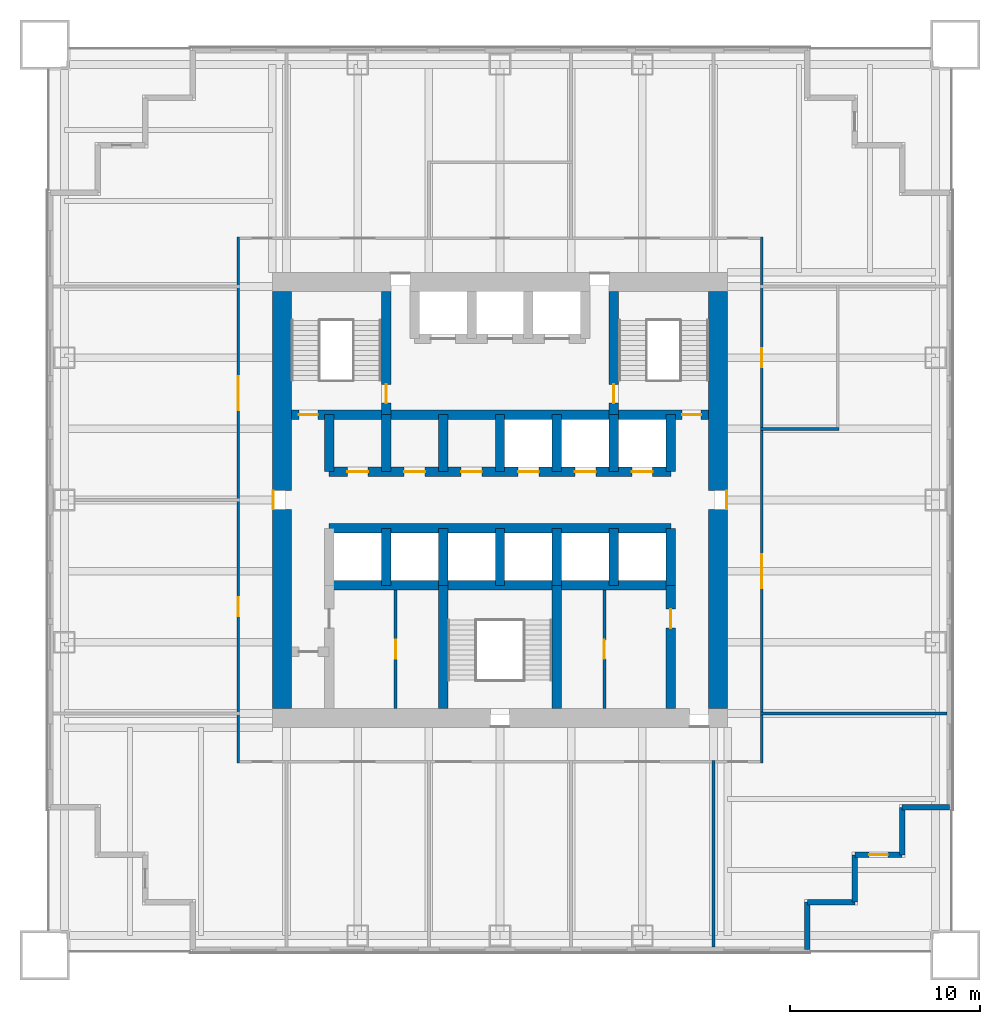
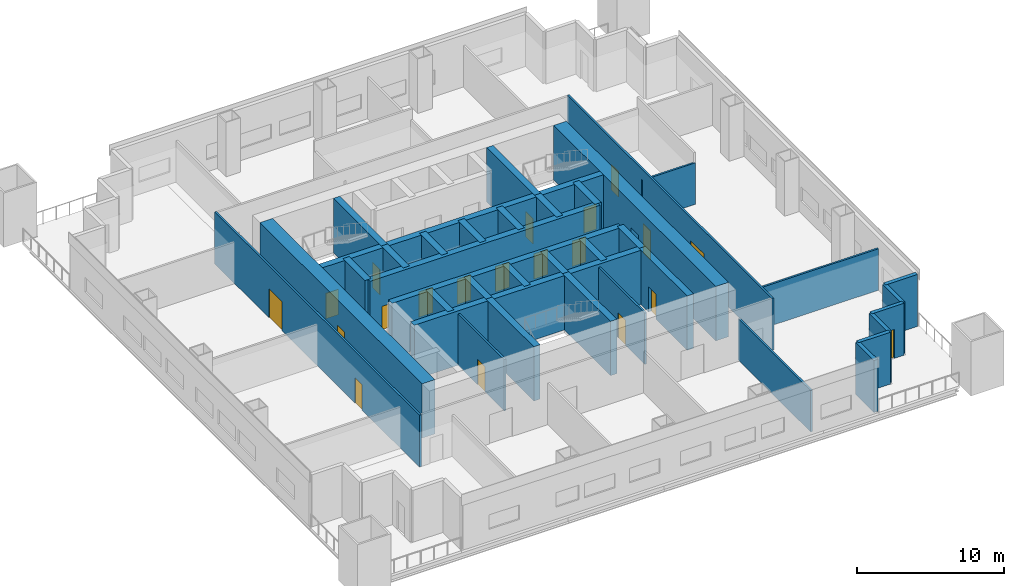
# One storey, part 3 of 7: 37 walls, 20 doors, 20 openings.
"""IFC4 building model written with IfcOpenShell, lengths in metres."""

from ifc_helpers import new_model, si_unit, direction, frame, frame_2d, origin, place, context, subcontext, project, spatial, rectangle, extrude, material, layer, layer_set, type_object, element, fill, save


model = new_model("IFC4")

# Units and contexts
model_context = context("Model", 3, precision=1e-05, world=origin(), true_north=direction((0.0, 1.0)))
body_context = subcontext(model_context, "Body", "Model", "MODEL_VIEW")
ifc_project = project(units=[si_unit("LENGTHUNIT", "METRE"), si_unit("AREAUNIT", "SQUARE_METRE"), si_unit("VOLUMEUNIT", "CUBIC_METRE"), si_unit("PLANEANGLEUNIT", "RADIAN"), si_unit("MASSUNIT", "GRAM", prefix="KILO")], contexts=[model_context])

# Site, building, storey
site_placement = place(None, origin())
site = spatial("IfcSite", under=ifc_project, at=site_placement, CompositionType="ELEMENT")
building_placement = place(site_placement, origin())
building = spatial("IfcBuilding", under=site, at=building_placement, Name="Tarangal Relay Tower", CompositionType="ELEMENT")
storey_placement = place(building_placement, frame((0.0, 0.0, 126.89990234375)))
storey = spatial("IfcBuildingStorey", under=building, at=storey_placement, Name="L25", CompositionType="ELEMENT", Elevation=126.89990234375)

# Wall, openings, doors
ifc_material_1 = material(Name="Concrete fc' 60 MPa", Category="concrete")
ifc_layer_1 = layer(ifc_material_1, 0.5)
ifc_layer_set_1 = layer_set([ifc_layer_1], Name="Core inner wall 500")
wall_type_1 = type_object("IfcWallType", Name="Core inner wall 500", PredefinedType="SHEAR", material=ifc_layer_set_1)
wall_1_placement = place(storey_placement, frame((-11.0, 4.5, 0.0), z_axis=(0.0, 0.0, 1.0), x_axis=(1.0, 0.0, 0.0)))
wall_1 = element("IfcWall", 1, at=wall_1_placement, inside=storey, type_object=wall_type_1, Name="Core wall Y45 L25", PredefinedType="SHEAR", context=body_context, shape_type="SweptSolid", body=[
    extrude(rectangle(XDim=22.0, YDim=0.5, at=frame_2d((11.0, 0.0))), origin(), (0.0, 0.0, 1.0), 4.5),
])
opening_1_placement = place(wall_1_placement, frame((0.39990234375, 0.0, 0.0)))
opening_1 = element("IfcOpeningElement", 2, at=opening_1_placement, cuts=wall_1, Name="Opening FD1", PredefinedType="OPENING", context=body_context, shape_type="SweptSolid", body=[
    extrude(rectangle(XDim=1.0, YDim=2.10009765625, at=frame_2d((0.5, 1.050048828125))), frame((0.0, 0.260009765625, 0.0), z_axis=(0.0, -1.0, 0.0), x_axis=(1.0, 0.0, 0.0)), (0.0, 0.0, 1.0), 0.52001953125),
])
opening_2_placement = place(wall_1_placement, frame((20.60009765625, 0.0, 0.0)))
opening_2 = element("IfcOpeningElement", 3, at=opening_2_placement, cuts=wall_1, Name="Opening FD1", PredefinedType="OPENING", context=body_context, shape_type="SweptSolid", body=[
    extrude(rectangle(XDim=1.0, YDim=2.10009765625, at=frame_2d((0.5, 1.050048828125))), frame((0.0, 0.260009765625, 0.0), z_axis=(0.0, -1.0, 0.0), x_axis=(1.0, 0.0, 0.0)), (0.0, 0.0, 1.0), 0.52001953125),
])
ifc_material_2 = material(Name="Steel door with hardwood frame", Category="steel")
door_type_1 = type_object("IfcDoorType", Name="Fire door 1000 x 2100", OperationType="SINGLE_SWING_LEFT", PredefinedType="DOOR", material=ifc_material_2)
door_1_placement = place(opening_1_placement, origin())
door_1 = element("IfcDoor", 4, at=door_1_placement, inside=storey, type_object=door_type_1, Name="Stair ST-A door from corridor L25", OperationType="SINGLE_SWING_LEFT", OverallHeight=2.10009765625, OverallWidth=1.0, PredefinedType="DOOR", context=body_context, shape_type="SweptSolid", body=[
    extrude(rectangle(XDim=1.0, YDim=2.10009765625, at=frame_2d((0.5, 1.050048828125))), frame((0.0, 0.02490234375, 0.0), z_axis=(0.0, -1.0, 0.0), x_axis=(1.0, 0.0, 0.0)), (0.0, 0.0, 1.0), 0.050048828125),
])
fill(opening_1, door_1)
door_2_placement = place(opening_2_placement, origin())
door_2 = element("IfcDoor", 5, at=door_2_placement, inside=storey, type_object=door_type_1, Name="Stair ST-B door from corridor L25", OperationType="SINGLE_SWING_LEFT", OverallHeight=2.10009765625, OverallWidth=1.0, PredefinedType="DOOR", context=body_context, shape_type="SweptSolid", body=[
    extrude(rectangle(XDim=1.0, YDim=2.10009765625, at=frame_2d((0.5, 1.050048828125))), frame((0.0, 0.02490234375, 0.0), z_axis=(0.0, -1.0, 0.0), x_axis=(1.0, 0.0, 0.0)), (0.0, 0.0, 1.0), 0.050048828125),
])
fill(opening_2, door_2)

wall_2_placement = place(storey_placement, frame((-9.0, 1.5, 0.0), z_axis=(0.0, 0.0, 1.0), x_axis=(1.0, 0.0, 0.0)))
wall_2 = element("IfcWall", 6, at=wall_2_placement, inside=storey, type_object=wall_type_1, Name="Core wall Y15 L25", PredefinedType="SHEAR", context=body_context, shape_type="SweptSolid", body=[
    extrude(rectangle(XDim=18.0, YDim=0.5, at=frame_2d((9.0, 0.0))), origin(), (0.0, 0.0, 1.0), 4.5),
])
opening_3_placement = place(wall_2_placement, frame((9.949951171875, 0.0, 0.0)))
opening_3 = element("IfcOpeningElement", 7, at=opening_3_placement, cuts=wall_2, Name="Opening LD1", PredefinedType="OPENING", context=body_context, shape_type="SweptSolid", body=[
    extrude(rectangle(XDim=1.10009765625, YDim=2.10009765625, at=frame_2d((0.550048828125, 1.050048828125))), frame((0.0, 0.260009765625, 0.0), z_axis=(0.0, -1.0, 0.0), x_axis=(1.0, 0.0, 0.0)), (0.0, 0.0, 1.0), 0.52001953125),
])
opening_4_placement = place(wall_2_placement, frame((12.949951171875, 0.0, 0.0)))
opening_4 = element("IfcOpeningElement", 8, at=opening_4_placement, cuts=wall_2, Name="Opening LD1", PredefinedType="OPENING", context=body_context, shape_type="SweptSolid", body=[
    extrude(rectangle(XDim=1.10009765625, YDim=2.10009765625, at=frame_2d((0.550048828125, 1.050048828125))), frame((0.0, 0.260009765625, 0.0), z_axis=(0.0, -1.0, 0.0), x_axis=(1.0, 0.0, 0.0)), (0.0, 0.0, 1.0), 0.52001953125),
])
opening_5_placement = place(wall_2_placement, frame((15.949951171875, 0.0, 0.0)))
opening_5 = element("IfcOpeningElement", 9, at=opening_5_placement, cuts=wall_2, Name="Opening LD1", PredefinedType="OPENING", context=body_context, shape_type="SweptSolid", body=[
    extrude(rectangle(XDim=1.10009765625, YDim=2.10009765625, at=frame_2d((0.550048828125, 1.050048828125))), frame((0.0, 0.260009765625, 0.0), z_axis=(0.0, -1.0, 0.0), x_axis=(1.0, 0.0, 0.0)), (0.0, 0.0, 1.0), 0.52001953125),
])
opening_6_placement = place(wall_2_placement, frame((0.949951171875, 0.0, 0.0)))
opening_6 = element("IfcOpeningElement", 10, at=opening_6_placement, cuts=wall_2, Name="Opening D4", PredefinedType="OPENING", context=body_context, shape_type="SweptSolid", body=[
    extrude(rectangle(XDim=1.10009765625, YDim=2.10009765625, at=frame_2d((0.550048828125, 1.050048828125))), frame((0.0, 0.260009765625, 0.0), z_axis=(0.0, -1.0, 0.0), x_axis=(1.0, 0.0, 0.0)), (0.0, 0.0, 1.0), 0.52001953125),
])
opening_7_placement = place(wall_2_placement, frame((3.949951171875, 0.0, 0.0)))
opening_7 = element("IfcOpeningElement", 11, at=opening_7_placement, cuts=wall_2, Name="Opening D4", PredefinedType="OPENING", context=body_context, shape_type="SweptSolid", body=[
    extrude(rectangle(XDim=1.10009765625, YDim=2.10009765625, at=frame_2d((0.550048828125, 1.050048828125))), frame((0.0, 0.260009765625, 0.0), z_axis=(0.0, -1.0, 0.0), x_axis=(1.0, 0.0, 0.0)), (0.0, 0.0, 1.0), 0.52001953125),
])
opening_8_placement = place(wall_2_placement, frame((6.949951171875, 0.0, 0.0)))
opening_8 = element("IfcOpeningElement", 12, at=opening_8_placement, cuts=wall_2, Name="Opening D4", PredefinedType="OPENING", context=body_context, shape_type="SweptSolid", body=[
    extrude(rectangle(XDim=1.10009765625, YDim=2.10009765625, at=frame_2d((0.550048828125, 1.050048828125))), frame((0.0, 0.260009765625, 0.0), z_axis=(0.0, -1.0, 0.0), x_axis=(1.0, 0.0, 0.0)), (0.0, 0.0, 1.0), 0.52001953125),
])
door_type_2 = type_object("IfcDoorType", Name="Core room door 1100 x 2100", OperationType="SINGLE_SWING_RIGHT", PredefinedType="DOOR", material=ifc_material_2)
door_3_placement = place(opening_6_placement, origin())
door_3 = element("IfcDoor", 13, at=door_3_placement, inside=storey, type_object=door_type_2, Name="Door D4 to staff wc L25-D1", OperationType="SINGLE_SWING_RIGHT", OverallHeight=2.10009765625, OverallWidth=1.10009765625, PredefinedType="DOOR", context=body_context, shape_type="SweptSolid", body=[
    extrude(rectangle(XDim=1.10009765625, YDim=2.10009765625, at=frame_2d((0.550048828125, 1.050048828125))), frame((0.0, 0.02490234375, 0.0), z_axis=(0.0, -1.0, 0.0), x_axis=(1.0, 0.0, 0.0)), (0.0, 0.0, 1.0), 0.050048828125),
])
fill(opening_6, door_3)
door_4_placement = place(opening_7_placement, origin())
door_4 = element("IfcDoor", 14, at=door_4_placement, inside=storey, type_object=door_type_2, Name="Door D4 to cleaner's store L25-D2", OperationType="SINGLE_SWING_RIGHT", OverallHeight=2.10009765625, OverallWidth=1.10009765625, PredefinedType="DOOR", context=body_context, shape_type="SweptSolid", body=[
    extrude(rectangle(XDim=1.10009765625, YDim=2.10009765625, at=frame_2d((0.550048828125, 1.050048828125))), frame((0.0, 0.02490234375, 0.0), z_axis=(0.0, -1.0, 0.0), x_axis=(1.0, 0.0, 0.0)), (0.0, 0.0, 1.0), 0.050048828125),
])
fill(opening_7, door_4)
door_5_placement = place(opening_8_placement, origin())
door_5 = element("IfcDoor", 15, at=door_5_placement, inside=storey, type_object=door_type_2, Name="Door D4 to it room L25-D3", OperationType="SINGLE_SWING_RIGHT", OverallHeight=2.10009765625, OverallWidth=1.10009765625, PredefinedType="DOOR", context=body_context, shape_type="SweptSolid", body=[
    extrude(rectangle(XDim=1.10009765625, YDim=2.10009765625, at=frame_2d((0.550048828125, 1.050048828125))), frame((0.0, 0.02490234375, 0.0), z_axis=(0.0, -1.0, 0.0), x_axis=(1.0, 0.0, 0.0)), (0.0, 0.0, 1.0), 0.050048828125),
])
fill(opening_8, door_5)
door_type_3 = type_object("IfcDoorType", Name="Lift landing door 1100 x 2100", OperationType="SLIDING_TO_LEFT", PredefinedType="DOOR", material=ifc_material_2)
door_6_placement = place(opening_3_placement, origin())
door_6 = element("IfcDoor", 16, at=door_6_placement, inside=storey, type_object=door_type_3, Name="Lift T1 landing door L25", OperationType="SLIDING_TO_LEFT", OverallHeight=2.10009765625, OverallWidth=1.10009765625, PredefinedType="DOOR", context=body_context, shape_type="SweptSolid", body=[
    extrude(rectangle(XDim=1.10009765625, YDim=2.10009765625, at=frame_2d((0.550048828125, 1.050048828125))), frame((0.0, 0.02490234375, 0.0), z_axis=(0.0, -1.0, 0.0), x_axis=(1.0, 0.0, 0.0)), (0.0, 0.0, 1.0), 0.050048828125),
])
fill(opening_3, door_6)
door_7_placement = place(opening_4_placement, origin())
door_7 = element("IfcDoor", 17, at=door_7_placement, inside=storey, type_object=door_type_3, Name="Lift T2 landing door L25", OperationType="SLIDING_TO_LEFT", OverallHeight=2.10009765625, OverallWidth=1.10009765625, PredefinedType="DOOR", context=body_context, shape_type="SweptSolid", body=[
    extrude(rectangle(XDim=1.10009765625, YDim=2.10009765625, at=frame_2d((0.550048828125, 1.050048828125))), frame((0.0, 0.02490234375, 0.0), z_axis=(0.0, -1.0, 0.0), x_axis=(1.0, 0.0, 0.0)), (0.0, 0.0, 1.0), 0.050048828125),
])
fill(opening_4, door_7)
door_8_placement = place(opening_5_placement, origin())
door_8 = element("IfcDoor", 18, at=door_8_placement, inside=storey, type_object=door_type_3, Name="Lift T3 landing door L25", OperationType="SLIDING_TO_LEFT", OverallHeight=2.10009765625, OverallWidth=1.10009765625, PredefinedType="DOOR", context=body_context, shape_type="SweptSolid", body=[
    extrude(rectangle(XDim=1.10009765625, YDim=2.10009765625, at=frame_2d((0.550048828125, 1.050048828125))), frame((0.0, 0.02490234375, 0.0), z_axis=(0.0, -1.0, 0.0), x_axis=(1.0, 0.0, 0.0)), (0.0, 0.0, 1.0), 0.050048828125),
])
fill(opening_5, door_8)

# Walls
for number, where, z_axis, x_axis, name in (
    (19, (-9.0, -1.5, 0.0), (0.0, 0.0, 1.0), (1.0, 0.0, 0.0), "Core wall YM15 L25"),
    (20, (-9.0, -4.5, 0.0), (0.0, 0.0, 1.0), (1.0, 0.0, 0.0), "Core wall YM45 L25"),
):
    element("IfcWall", number, at=place(storey_placement, frame(where, z_axis=z_axis, x_axis=x_axis)), inside=storey, type_object=wall_type_1, Name=name, PredefinedType="SHEAR", context=body_context, shape_type="SweptSolid", body=[
        extrude(rectangle(XDim=18.0, YDim=0.5, at=frame_2d((9.0, 0.0))), origin(), (0.0, 0.0, 1.0), 4.5),
    ])
for number, where, z_axis, x_axis, name in (
    (21, (-9.0, 1.5, 0.0), (0.0, 0.0, 1.0), (0.0, 1.0, 0.0), "Core wall XM9N L25"),
    (22, (9.0, 1.5, 0.0), (0.0, 0.0, 1.0), (0.0, 1.0, 0.0), "Core wall X9N L25"),
    (23, (9.0, -4.5, 0.0), (0.0, 0.0, 1.0), (0.0, 1.0, 0.0), "Core wall X9S L25"),
    (24, (-6.0, 1.5, 0.0), (0.0, 0.0, 1.0), (0.0, 1.0, 0.0), "Core wall XM6N L25"),
    (25, (-3.0, 1.5, 0.0), (0.0, 0.0, 1.0), (0.0, 1.0, 0.0), "Core wall XM3N L25"),
    (26, (0.0, 1.5, 0.0), (0.0, 0.0, 1.0), (0.0, 1.0, 0.0), "Core wall X0N L25"),
    (27, (3.0, 1.5, 0.0), (0.0, 0.0, 1.0), (0.0, 1.0, 0.0), "Core wall X3N L25"),
    (28, (6.0, 1.5, 0.0), (0.0, 0.0, 1.0), (0.0, 1.0, 0.0), "Core wall X6N L25"),
    (29, (-6.0, -4.5, 0.0), (0.0, 0.0, 1.0), (0.0, 1.0, 0.0), "Core wall XM6S L25"),
    (30, (-3.0, -4.5, 0.0), (0.0, 0.0, 1.0), (0.0, 1.0, 0.0), "Core wall XM3S L25"),
    (31, (0.0, -4.5, 0.0), (0.0, 0.0, 1.0), (0.0, 1.0, 0.0), "Core wall X0S L25"),
    (32, (3.0, -4.5, 0.0), (0.0, 0.0, 1.0), (0.0, 1.0, 0.0), "Core wall X3S L25"),
    (33, (6.0, -4.5, 0.0), (0.0, 0.0, 1.0), (0.0, 1.0, 0.0), "Core wall X6S L25"),
):
    element("IfcWall", number, at=place(storey_placement, frame(where, z_axis=z_axis, x_axis=x_axis)), inside=storey, type_object=wall_type_1, Name=name, PredefinedType="SHEAR", context=body_context, shape_type="SweptSolid", body=[
        extrude(rectangle(XDim=3.0, YDim=0.5, at=frame_2d((1.5, 0.0))), origin(), (0.0, 0.0, 1.0), 4.5),
    ])

# Wall, opening, door
wall_3_placement = place(storey_placement, frame((-6.0, 4.5, 0.0), z_axis=(0.0, 0.0, 1.0), x_axis=(0.0, 1.0, 0.0)))
wall_3 = element("IfcWall", 34, at=wall_3_placement, inside=storey, type_object=wall_type_1, Name="Core wall XM6 L25", PredefinedType="SHEAR", context=body_context, shape_type="SweptSolid", body=[
    extrude(rectangle(XDim=6.5, YDim=0.5, at=frame_2d((3.25, 0.0))), origin(), (0.0, 0.0, 1.0), 4.5),
])
opening_9_placement = place(wall_3_placement, frame((0.60009765625, 0.0, 0.0)))
opening_9 = element("IfcOpeningElement", 35, at=opening_9_placement, cuts=wall_3, Name="Opening FD1", PredefinedType="OPENING", context=body_context, shape_type="SweptSolid", body=[
    extrude(rectangle(XDim=1.0, YDim=2.10009765625, at=frame_2d((0.5, 1.050048828125))), frame((0.0, 0.260009765625, 0.0), z_axis=(0.0, -1.0, 0.0), x_axis=(1.0, 0.0, 0.0)), (0.0, 0.0, 1.0), 0.52001953125),
])
door_9_placement = place(opening_9_placement, origin())
door_9 = element("IfcDoor", 36, at=door_9_placement, inside=storey, type_object=door_type_1, Name="Stair ST-A door from fire-fighting lobby L25", OperationType="SINGLE_SWING_LEFT", OverallHeight=2.10009765625, OverallWidth=1.0, PredefinedType="DOOR", context=body_context, shape_type="SweptSolid", body=[
    extrude(rectangle(XDim=1.0, YDim=2.10009765625, at=frame_2d((0.5, 1.050048828125))), frame((0.0, 0.02490234375, 0.0), z_axis=(0.0, -1.0, 0.0), x_axis=(1.0, 0.0, 0.0)), (0.0, 0.0, 1.0), 0.050048828125),
])
fill(opening_9, door_9)

wall_4_placement = place(storey_placement, frame((6.0, 4.5, 0.0), z_axis=(0.0, 0.0, 1.0), x_axis=(0.0, 1.0, 0.0)))
wall_4 = element("IfcWall", 37, at=wall_4_placement, inside=storey, type_object=wall_type_1, Name="Core wall X6 L25", PredefinedType="SHEAR", context=body_context, shape_type="SweptSolid", body=[
    extrude(rectangle(XDim=6.5, YDim=0.5, at=frame_2d((3.25, 0.0))), origin(), (0.0, 0.0, 1.0), 4.5),
])
opening_10_placement = place(wall_4_placement, frame((0.60009765625, 0.0, 0.0)))
opening_10 = element("IfcOpeningElement", 38, at=opening_10_placement, cuts=wall_4, Name="Opening FD1", PredefinedType="OPENING", context=body_context, shape_type="SweptSolid", body=[
    extrude(rectangle(XDim=1.0, YDim=2.10009765625, at=frame_2d((0.5, 1.050048828125))), frame((0.0, 0.260009765625, 0.0), z_axis=(0.0, -1.0, 0.0), x_axis=(1.0, 0.0, 0.0)), (0.0, 0.0, 1.0), 0.52001953125),
])
door_10_placement = place(opening_10_placement, origin())
door_10 = element("IfcDoor", 39, at=door_10_placement, inside=storey, type_object=door_type_1, Name="Stair ST-B door from fire-fighting lobby L25", OperationType="SINGLE_SWING_LEFT", OverallHeight=2.10009765625, OverallWidth=1.0, PredefinedType="DOOR", context=body_context, shape_type="SweptSolid", body=[
    extrude(rectangle(XDim=1.0, YDim=2.10009765625, at=frame_2d((0.5, 1.050048828125))), frame((0.0, 0.02490234375, 0.0), z_axis=(0.0, -1.0, 0.0), x_axis=(1.0, 0.0, 0.0)), (0.0, 0.0, 1.0), 0.050048828125),
])
fill(opening_10, door_10)

wall_5_placement = place(storey_placement, frame((9.0, -11.0, 0.0), z_axis=(0.0, 0.0, 1.0), x_axis=(0.0, 1.0, 0.0)))
wall_5 = element("IfcWall", 40, at=wall_5_placement, inside=storey, type_object=wall_type_1, Name="Core wall X9W L25", PredefinedType="SHEAR", context=body_context, shape_type="SweptSolid", body=[
    extrude(rectangle(XDim=6.5, YDim=0.5, at=frame_2d((3.25, 0.0))), origin(), (0.0, 0.0, 1.0), 4.5),
])
opening_11_placement = place(wall_5_placement, frame((4.25, 0.0, 0.0)))
opening_11 = element("IfcOpeningElement", 41, at=opening_11_placement, cuts=wall_5, Name="Opening D1", PredefinedType="OPENING", context=body_context, shape_type="SweptSolid", body=[
    extrude(rectangle(XDim=1.0, YDim=2.10009765625, at=frame_2d((0.5, 1.050048828125))), frame((0.0, 0.260009765625, 0.0), z_axis=(0.0, -1.0, 0.0), x_axis=(1.0, 0.0, 0.0)), (0.0, 0.0, 1.0), 0.52001953125),
])
ifc_material_3 = material(Name="Hardwood door", Category="wood")
door_type_4 = type_object("IfcDoorType", Name="WC door 1000 x 2100", OperationType="SINGLE_SWING_LEFT", PredefinedType="DOOR", material=ifc_material_3)
door_11_placement = place(opening_11_placement, origin())
door_11 = element("IfcDoor", 42, at=door_11_placement, inside=storey, type_object=door_type_4, Name="Female WC door L25", OperationType="SINGLE_SWING_LEFT", OverallHeight=2.10009765625, OverallWidth=1.0, PredefinedType="DOOR", context=body_context, shape_type="SweptSolid", body=[
    extrude(rectangle(XDim=1.0, YDim=2.10009765625, at=frame_2d((0.5, 1.050048828125))), frame((0.0, 0.02490234375, 0.0), z_axis=(0.0, -1.0, 0.0), x_axis=(1.0, 0.0, 0.0)), (0.0, 0.0, 1.0), 0.050048828125),
])
fill(opening_11, door_11)

# Walls
for number, where, z_axis, x_axis, name in (
    (43, (-3.0, -11.0, 0.0), (0.0, 0.0, 1.0), (0.0, 1.0, 0.0), "Core wall XM3W L25"),
    (44, (3.0, -11.0, 0.0), (0.0, 0.0, 1.0), (0.0, 1.0, 0.0), "Core wall X3W L25"),
):
    element("IfcWall", number, at=place(storey_placement, frame(where, z_axis=z_axis, x_axis=x_axis)), inside=storey, type_object=wall_type_1, Name=name, PredefinedType="SHEAR", context=body_context, shape_type="SweptSolid", body=[
        extrude(rectangle(XDim=6.5, YDim=0.5, at=frame_2d((3.25, 0.0))), origin(), (0.0, 0.0, 1.0), 4.5),
    ])

# Wall, opening, door
ifc_layer_2 = layer(ifc_material_1, 1.0)
ifc_layer_set_2 = layer_set([ifc_layer_2], Name="Core wall 1000")
wall_type_2 = type_object("IfcWallType", Name="Core wall 1000", PredefinedType="SHEAR", material=ifc_layer_set_2)
wall_6_placement = place(storey_placement, frame((11.5, 11.0, 0.0), z_axis=(0.0, 0.0, 1.0), x_axis=(0.0, -1.0, 0.0)))
wall_6 = element("IfcWall", 45, at=wall_6_placement, inside=storey, type_object=wall_type_2, Name="Core wall E L25", PredefinedType="SHEAR", context=body_context, shape_type="SweptSolid", body=[
    extrude(rectangle(XDim=22.0, YDim=1.0, at=frame_2d((11.0, 0.0))), origin(), (0.0, 0.0, 1.0), 4.5),
])
opening_12_placement = place(wall_6_placement, frame((10.5, 0.0, 0.0)))
opening_12 = element("IfcOpeningElement", 46, at=opening_12_placement, cuts=wall_6, Name="Opening FD3", PredefinedType="OPENING", context=body_context, shape_type="SweptSolid", body=[
    extrude(rectangle(XDim=1.0, YDim=2.39990234375, at=frame_2d((0.5, 1.199951171875))), frame((0.0, 0.510009765625, 0.0), z_axis=(0.0, -1.0, 0.0), x_axis=(1.0, 0.0, 0.0)), (0.0, 0.0, 1.0), 1.02001953125),
])
door_type_5 = type_object("IfcDoorType", Name="Fire door 1000 x 2400 core entry", OperationType="SINGLE_SWING_RIGHT", PredefinedType="DOOR", material=ifc_material_2)
door_12_placement = place(opening_12_placement, origin())
door_12 = element("IfcDoor", 47, at=door_12_placement, inside=storey, type_object=door_type_5, Name="Core entry door east L25", OperationType="SINGLE_SWING_RIGHT", OverallHeight=2.39990234375, OverallWidth=1.0, PredefinedType="DOOR", context=body_context, shape_type="SweptSolid", body=[
    extrude(rectangle(XDim=1.0, YDim=2.39990234375, at=frame_2d((0.5, 1.199951171875))), frame((0.0, 0.48486328125, 0.0), z_axis=(0.0, -1.0, 0.0), x_axis=(1.0, 0.0, 0.0)), (0.0, 0.0, 1.0), 0.050048828125),
])
fill(opening_12, door_12)

wall_7_placement = place(storey_placement, frame((-11.5, -11.0, 0.0), z_axis=(0.0, 0.0, 1.0), x_axis=(0.0, 1.0, 0.0)))
wall_7 = element("IfcWall", 48, at=wall_7_placement, inside=storey, type_object=wall_type_2, Name="Core wall W L25", PredefinedType="SHEAR", context=body_context, shape_type="SweptSolid", body=[
    extrude(rectangle(XDim=22.0, YDim=1.0, at=frame_2d((11.0, 0.0))), origin(), (0.0, 0.0, 1.0), 4.5),
])
opening_13_placement = place(wall_7_placement, frame((10.5, 0.0, 0.0)))
opening_13 = element("IfcOpeningElement", 49, at=opening_13_placement, cuts=wall_7, Name="Opening FD3", PredefinedType="OPENING", context=body_context, shape_type="SweptSolid", body=[
    extrude(rectangle(XDim=1.0, YDim=2.39990234375, at=frame_2d((0.5, 1.199951171875))), frame((0.0, 0.510009765625, 0.0), z_axis=(0.0, -1.0, 0.0), x_axis=(1.0, 0.0, 0.0)), (0.0, 0.0, 1.0), 1.02001953125),
])
door_13_placement = place(opening_13_placement, origin())
door_13 = element("IfcDoor", 50, at=door_13_placement, inside=storey, type_object=door_type_5, Name="Core entry door west L25", OperationType="SINGLE_SWING_RIGHT", OverallHeight=2.39990234375, OverallWidth=1.0, PredefinedType="DOOR", context=body_context, shape_type="SweptSolid", body=[
    extrude(rectangle(XDim=1.0, YDim=2.39990234375, at=frame_2d((0.5, 1.199951171875))), frame((0.0, 0.48486328125, 0.0), z_axis=(0.0, -1.0, 0.0), x_axis=(1.0, 0.0, 0.0)), (0.0, 0.0, 1.0), 0.050048828125),
])
fill(opening_13, door_13)

# Walls
ifc_material_4 = material(Name="Insulated precast concrete fc' 40 MPa", Category="concrete")
ifc_layer_3 = layer(ifc_material_4, 0.300048828125)
ifc_layer_set_3 = layer_set([ifc_layer_3], Name="Insulated precast concrete fc' 40 MPa")
wall_type_3 = type_object("IfcWallType", Name="Facade wall precast 300", PredefinedType="SOLIDWALL", material=ifc_layer_set_3)
for number, where, z_axis, x_axis, name in (
    (51, (23.699951171875, -16.199951171875, 0.0), (0.0, 0.0, 1.0), (-1.0, 0.0, 0.0), "Facade wall E facade L25"),
    (52, (21.199951171875, -16.199951171875, 0.0), (0.0, 0.0, 1.0), (0.0, -1.0, 0.0), "Facade wall E facade L25"),
):
    element("IfcWall", number, at=place(storey_placement, frame(where, z_axis=z_axis, x_axis=x_axis)), inside=storey, type_object=wall_type_3, Name=name, PredefinedType="SOLIDWALL", context=body_context, shape_type="SweptSolid", body=[
        extrude(rectangle(XDim=2.5, YDim=0.300048828125, at=frame_2d((1.25, 0.0))), origin(), (0.0, 0.0, 1.0), 4.300048828125),
    ])

# Wall, opening, door
wall_8_placement = place(storey_placement, frame((21.199951171875, -18.699951171875, 0.0), z_axis=(0.0, 0.0, 1.0), x_axis=(-1.0, 0.0, 0.0)))
wall_8 = element("IfcWall", 53, at=wall_8_placement, inside=storey, type_object=wall_type_3, Name="Facade wall E facade L25", PredefinedType="SOLIDWALL", context=body_context, shape_type="SweptSolid", body=[
    extrude(rectangle(XDim=2.5, YDim=0.300048828125, at=frame_2d((1.25, 0.0))), origin(), (0.0, 0.0, 1.0), 4.300048828125),
])
opening_14_placement = place(wall_8_placement, frame((0.75, 0.0, 0.0)))
opening_14 = element("IfcOpeningElement", 54, at=opening_14_placement, cuts=wall_8, Name="Opening TD1", PredefinedType="OPENING", context=body_context, shape_type="SweptSolid", body=[
    extrude(rectangle(XDim=1.0, YDim=2.39990234375, at=frame_2d((0.5, 1.199951171875))), frame((0.0, 0.159912109375, 0.0), z_axis=(0.0, -1.0, 0.0), x_axis=(1.0, 0.0, 0.0)), (0.0, 0.0, 1.0), 0.320068359375),
])
ifc_material_5 = material(Name="Aluminium glazed door", Category="aluminium")
door_type_6 = type_object("IfcDoorType", Name="Terrace door 1000 x 2400", OperationType="SINGLE_SWING_RIGHT", PredefinedType="DOOR", material=ifc_material_5)
door_14_placement = place(opening_14_placement, origin())
door_14 = element("IfcDoor", 55, at=door_14_placement, inside=storey, type_object=door_type_6, Name="Terrace door TD1 SE L25", OperationType="SINGLE_SWING_RIGHT", OverallHeight=2.39990234375, OverallWidth=1.0, PredefinedType="DOOR", context=body_context, shape_type="SweptSolid", body=[
    extrude(rectangle(XDim=1.0, YDim=2.39990234375, at=frame_2d((0.5, 1.199951171875))), frame((0.0, 0.02490234375, 0.0), z_axis=(0.0, -1.0, 0.0), x_axis=(1.0, 0.0, 0.0)), (0.0, 0.0, 1.0), 0.050048828125),
])
fill(opening_14, door_14)

# Walls
for number, where, z_axis, x_axis, name in (
    (56, (18.699951171875, -18.699951171875, 0.0), (0.0, 0.0, 1.0), (0.0, -1.0, 0.0), "Facade wall E facade L25"),
    (57, (18.699951171875, -21.199951171875, 0.0), (0.0, 0.0, 1.0), (-1.0, 0.0, 0.0), "Facade wall E facade L25"),
    (58, (16.199951171875, -21.199951171875, 0.0), (0.0, 0.0, 1.0), (0.0, -1.0, 0.0), "Facade wall E facade L25"),
):
    element("IfcWall", number, at=place(storey_placement, frame(where, z_axis=z_axis, x_axis=x_axis)), inside=storey, type_object=wall_type_3, Name=name, PredefinedType="SOLIDWALL", context=body_context, shape_type="SweptSolid", body=[
        extrude(rectangle(XDim=2.5, YDim=0.300048828125, at=frame_2d((1.25, 0.0))), origin(), (0.0, 0.0, 1.0), 4.300048828125),
    ])
ifc_material_6 = material(Name="Gypsum board on steel studs", Category="steel")
ifc_layer_4 = layer(ifc_material_6, 0.14990234375)
ifc_layer_set_4 = layer_set([ifc_layer_4], Name="Partition 150")
wall_type_4 = type_object("IfcWallType", Name="Partition 150", PredefinedType="PARTITIONING", material=ifc_layer_set_4)
wall_9_placement = place(storey_placement, frame((13.72509765625, -11.25, 0.0), z_axis=(0.0, 0.0, 1.0), x_axis=(1.0, 0.0, 0.0)))
element("IfcWall", 59, at=wall_9_placement, inside=storey, type_object=wall_type_4, Name="Partition PT1 L25", PredefinedType="PARTITIONING", context=body_context, shape_type="SweptSolid", body=[
    extrude(rectangle(XDim=9.824951171875, YDim=0.14990234375, at=frame_2d((4.91259765625, 0.0))), origin(), (0.0, 0.0, 1.0), 3.431396484375),
])
wall_10_placement = place(storey_placement, frame((13.72509765625, 3.75, 0.0), z_axis=(0.0, 0.0, 1.0), x_axis=(1.0, 0.0, 0.0)))
element("IfcWall", 60, at=wall_10_placement, inside=storey, type_object=wall_type_4, Name="Partition PT1 L25", PredefinedType="PARTITIONING", context=body_context, shape_type="SweptSolid", body=[
    extrude(rectangle(XDim=4.14990234375, YDim=0.14990234375, at=frame_2d((2.074951171875, 0.0))), origin(), (0.0, 0.0, 1.0), 3.431396484375),
])

# Wall, openings, doors
wall_11_placement = place(storey_placement, frame((-13.800048828125, -13.875, 0.0), z_axis=(0.0, 0.0, 1.0), x_axis=(0.0, 1.0, 0.0)))
wall_11 = element("IfcWall", 61, at=wall_11_placement, inside=storey, type_object=wall_type_4, Name="Partition PT1 L25", PredefinedType="PARTITIONING", context=body_context, shape_type="SweptSolid", body=[
    extrude(rectangle(XDim=27.75, YDim=0.14990234375, at=frame_2d((13.875, 0.0))), origin(), (0.0, 0.0, 1.0), 4.300048828125),
])
opening_15_placement = place(wall_11_placement, frame((7.75, 0.0, 0.0)))
opening_15 = element("IfcOpeningElement", 62, at=opening_15_placement, cuts=wall_11, Name="Opening D2", PredefinedType="OPENING", context=body_context, shape_type="SweptSolid", body=[
    extrude(rectangle(XDim=1.0, YDim=2.10009765625, at=frame_2d((0.5, 1.050048828125))), frame((0.0, 0.0849609375, 0.0), z_axis=(0.0, -1.0, 0.0), x_axis=(1.0, 0.0, 0.0)), (0.0, 0.0, 1.0), 0.169921875),
])
opening_16_placement = place(wall_11_placement, frame((18.60009765625, 0.0, 0.0)))
opening_16 = element("IfcOpeningElement", 63, at=opening_16_placement, cuts=wall_11, Name="Opening DD1", PredefinedType="OPENING", context=body_context, shape_type="SweptSolid", body=[
    extrude(rectangle(XDim=1.800048828125, YDim=2.39990234375, at=frame_2d((0.89990234375, 1.199951171875))), frame((0.0, 0.0849609375, 0.0), z_axis=(0.0, -1.0, 0.0), x_axis=(1.0, 0.0, 0.0)), (0.0, 0.0, 1.0), 0.169921875),
])
door_type_7 = type_object("IfcDoorType", Name="Door 1000 x 2100", OperationType="SINGLE_SWING_LEFT", PredefinedType="DOOR", material=ifc_material_3)
door_15_placement = place(opening_15_placement, origin())
door_15 = element("IfcDoor", 64, at=door_15_placement, inside=storey, type_object=door_type_7, Name="Door D2 to test lab L25-10", OperationType="SINGLE_SWING_LEFT", OverallHeight=2.10009765625, OverallWidth=1.0, PredefinedType="DOOR", context=body_context, shape_type="SweptSolid", body=[
    extrude(rectangle(XDim=1.0, YDim=2.10009765625, at=frame_2d((0.5, 1.050048828125))), frame((0.0, 0.02490234375, 0.0), z_axis=(0.0, -1.0, 0.0), x_axis=(1.0, 0.0, 0.0)), (0.0, 0.0, 1.0), 0.050048828125),
])
fill(opening_15, door_15)
door_type_8 = type_object("IfcDoorType", Name="Equipment double door 1800 x 2400", OperationType="DOUBLE_DOOR_SINGLE_SWING", PredefinedType="DOOR", material=ifc_material_2)
door_16_placement = place(opening_16_placement, origin())
door_16 = element("IfcDoor", 65, at=door_16_placement, inside=storey, type_object=door_type_8, Name="Door DD1 to telecom equipment room L25-11", OperationType="DOUBLE_DOOR_SINGLE_SWING", OverallHeight=2.39990234375, OverallWidth=1.800048828125, PredefinedType="DOOR", context=body_context, shape_type="SweptSolid", body=[
    extrude(rectangle(XDim=1.800048828125, YDim=2.39990234375, at=frame_2d((0.89990234375, 1.199951171875))), frame((0.0, 0.02490234375, 0.0), z_axis=(0.0, -1.0, 0.0), x_axis=(1.0, 0.0, 0.0)), (0.0, 0.0, 1.0), 0.050048828125),
])
fill(opening_16, door_16)

# Wall
wall_12_placement = place(storey_placement, frame((11.25, -23.550048828125, 0.0), z_axis=(0.0, 0.0, 1.0), x_axis=(0.0, 1.0, 0.0)))
element("IfcWall", 66, at=wall_12_placement, inside=storey, type_object=wall_type_4, Name="Partition PT1 L25", PredefinedType="PARTITIONING", context=body_context, shape_type="SweptSolid", body=[
    extrude(rectangle(XDim=9.824951171875, YDim=0.14990234375, at=frame_2d((4.91259765625, 0.0))), origin(), (0.0, 0.0, 1.0), 3.431396484375),
])

# Wall, openings, doors
wall_13_placement = place(storey_placement, frame((13.800048828125, -13.875, 0.0), z_axis=(0.0, 0.0, 1.0), x_axis=(0.0, 1.0, 0.0)))
wall_13 = element("IfcWall", 67, at=wall_13_placement, inside=storey, type_object=wall_type_4, Name="Partition PT1 L25", PredefinedType="PARTITIONING", context=body_context, shape_type="SweptSolid", body=[
    extrude(rectangle(XDim=27.75, YDim=0.14990234375, at=frame_2d((13.875, 0.0))), origin(), (0.0, 0.0, 1.0), 4.300048828125),
])
opening_17_placement = place(wall_13_placement, frame((20.875, 0.0, 0.0)))
opening_17 = element("IfcOpeningElement", 68, at=opening_17_placement, cuts=wall_13, Name="Opening D2", PredefinedType="OPENING", context=body_context, shape_type="SweptSolid", body=[
    extrude(rectangle(XDim=1.0, YDim=2.10009765625, at=frame_2d((0.5, 1.050048828125))), frame((0.0, 0.0849609375, 0.0), z_axis=(0.0, -1.0, 0.0), x_axis=(1.0, 0.0, 0.0)), (0.0, 0.0, 1.0), 0.169921875),
])
opening_18_placement = place(wall_13_placement, frame((9.22509765625, 0.0, 0.0)))
opening_18 = element("IfcOpeningElement", 69, at=opening_18_placement, cuts=wall_13, Name="Opening DD1", PredefinedType="OPENING", context=body_context, shape_type="SweptSolid", body=[
    extrude(rectangle(XDim=1.800048828125, YDim=2.39990234375, at=frame_2d((0.89990234375, 1.199951171875))), frame((0.0, 0.0849609375, 0.0), z_axis=(0.0, -1.0, 0.0), x_axis=(1.0, 0.0, 0.0)), (0.0, 0.0, 1.0), 0.169921875),
])
door_17_placement = place(opening_17_placement, origin())
door_17 = element("IfcDoor", 70, at=door_17_placement, inside=storey, type_object=door_type_7, Name="Door D2 to carrier meeting room L25-05", OperationType="SINGLE_SWING_LEFT", OverallHeight=2.10009765625, OverallWidth=1.0, PredefinedType="DOOR", context=body_context, shape_type="SweptSolid", body=[
    extrude(rectangle(XDim=1.0, YDim=2.10009765625, at=frame_2d((0.5, 1.050048828125))), frame((0.0, 0.02490234375, 0.0), z_axis=(0.0, -1.0, 0.0), x_axis=(1.0, 0.0, 0.0)), (0.0, 0.0, 1.0), 0.050048828125),
])
fill(opening_17, door_17)
door_18_placement = place(opening_18_placement, origin())
door_18 = element("IfcDoor", 71, at=door_18_placement, inside=storey, type_object=door_type_8, Name="Door DD1 to carrier equipment room L25-06", OperationType="DOUBLE_DOOR_SINGLE_SWING", OverallHeight=2.39990234375, OverallWidth=1.800048828125, PredefinedType="DOOR", context=body_context, shape_type="SweptSolid", body=[
    extrude(rectangle(XDim=1.800048828125, YDim=2.39990234375, at=frame_2d((0.89990234375, 1.199951171875))), frame((0.0, 0.02490234375, 0.0), z_axis=(0.0, -1.0, 0.0), x_axis=(1.0, 0.0, 0.0)), (0.0, 0.0, 1.0), 0.050048828125),
])
fill(opening_18, door_18)

# Wall, opening, door
wall_14_placement = place(storey_placement, frame((-5.5, -11.0, 0.0), z_axis=(0.0, 0.0, 1.0), x_axis=(0.0, 1.0, 0.0)))
wall_14 = element("IfcWall", 72, at=wall_14_placement, inside=storey, type_object=wall_type_4, Name="Partition PT1 L25", PredefinedType="PARTITIONING", context=body_context, shape_type="SweptSolid", body=[
    extrude(rectangle(XDim=6.25, YDim=0.14990234375, at=frame_2d((3.125, 0.0))), origin(), (0.0, 0.0, 1.0), 4.25),
])
opening_19_placement = place(wall_14_placement, frame((2.625, 0.0, 0.0)))
opening_19 = element("IfcOpeningElement", 73, at=opening_19_placement, cuts=wall_14, Name="Opening D1", PredefinedType="OPENING", context=body_context, shape_type="SweptSolid", body=[
    extrude(rectangle(XDim=1.0, YDim=2.10009765625, at=frame_2d((0.5, 1.050048828125))), frame((0.0, 0.0849609375, 0.0), z_axis=(0.0, -1.0, 0.0), x_axis=(1.0, 0.0, 0.0)), (0.0, 0.0, 1.0), 0.169921875),
])
door_19_placement = place(opening_19_placement, origin())
door_19 = element("IfcDoor", 74, at=door_19_placement, inside=storey, type_object=door_type_4, Name="Door D1 to male shower and changing room L25-C7B", OperationType="SINGLE_SWING_LEFT", OverallHeight=2.10009765625, OverallWidth=1.0, PredefinedType="DOOR", context=body_context, shape_type="SweptSolid", body=[
    extrude(rectangle(XDim=1.0, YDim=2.10009765625, at=frame_2d((0.5, 1.050048828125))), frame((0.0, 0.02490234375, 0.0), z_axis=(0.0, -1.0, 0.0), x_axis=(1.0, 0.0, 0.0)), (0.0, 0.0, 1.0), 0.050048828125),
])
fill(opening_19, door_19)

wall_15_placement = place(storey_placement, frame((5.5, -11.0, 0.0), z_axis=(0.0, 0.0, 1.0), x_axis=(0.0, 1.0, 0.0)))
wall_15 = element("IfcWall", 75, at=wall_15_placement, inside=storey, type_object=wall_type_4, Name="Partition PT1 L25", PredefinedType="PARTITIONING", context=body_context, shape_type="SweptSolid", body=[
    extrude(rectangle(XDim=6.25, YDim=0.14990234375, at=frame_2d((3.125, 0.0))), origin(), (0.0, 0.0, 1.0), 4.25),
])
opening_20_placement = place(wall_15_placement, frame((2.625, 0.0, 0.0)))
opening_20 = element("IfcOpeningElement", 76, at=opening_20_placement, cuts=wall_15, Name="Opening D1", PredefinedType="OPENING", context=body_context, shape_type="SweptSolid", body=[
    extrude(rectangle(XDim=1.0, YDim=2.10009765625, at=frame_2d((0.5, 1.050048828125))), frame((0.0, 0.0849609375, 0.0), z_axis=(0.0, -1.0, 0.0), x_axis=(1.0, 0.0, 0.0)), (0.0, 0.0, 1.0), 0.169921875),
])
door_20_placement = place(opening_20_placement, origin())
door_20 = element("IfcDoor", 77, at=door_20_placement, inside=storey, type_object=door_type_4, Name="Door D1 to female shower and changing room L25-C10B", OperationType="SINGLE_SWING_LEFT", OverallHeight=2.10009765625, OverallWidth=1.0, PredefinedType="DOOR", context=body_context, shape_type="SweptSolid", body=[
    extrude(rectangle(XDim=1.0, YDim=2.10009765625, at=frame_2d((0.5, 1.050048828125))), frame((0.0, 0.02490234375, 0.0), z_axis=(0.0, -1.0, 0.0), x_axis=(1.0, 0.0, 0.0)), (0.0, 0.0, 1.0), 0.050048828125),
])
fill(opening_20, door_20)

save(model, "model.ifc")
